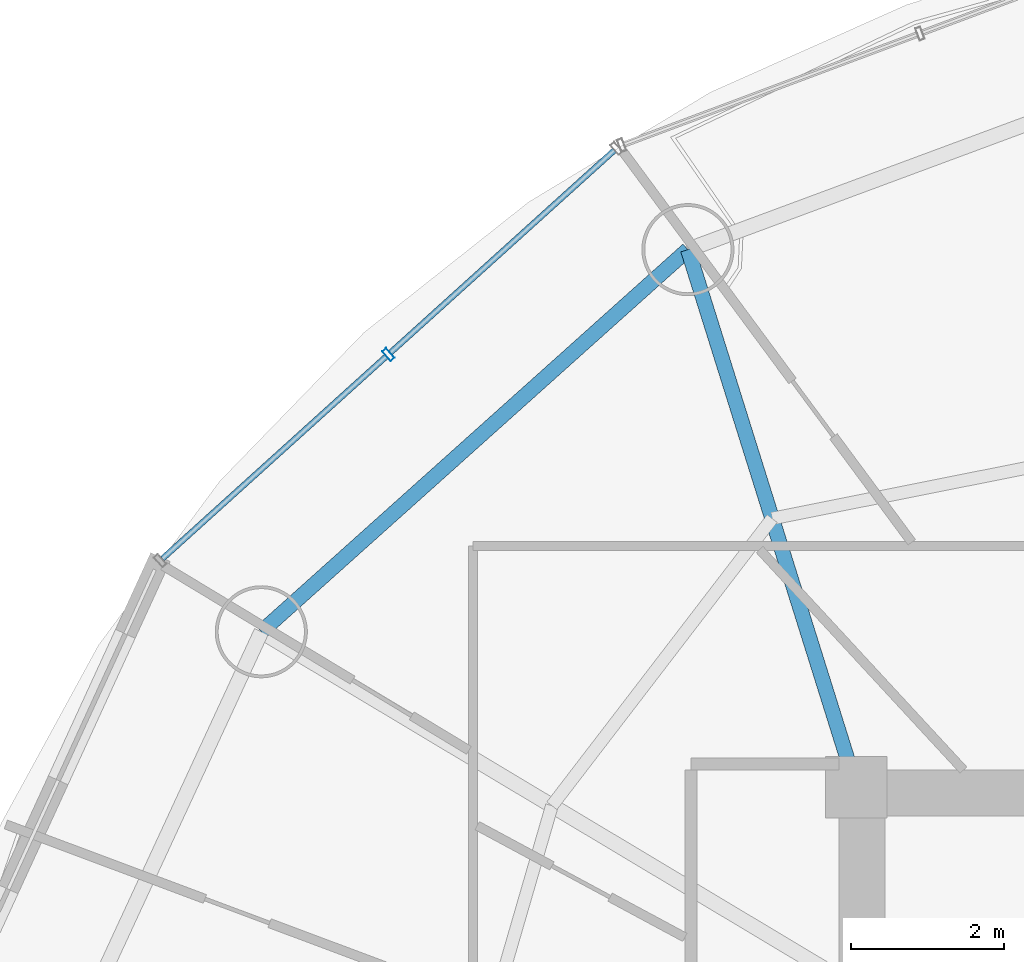
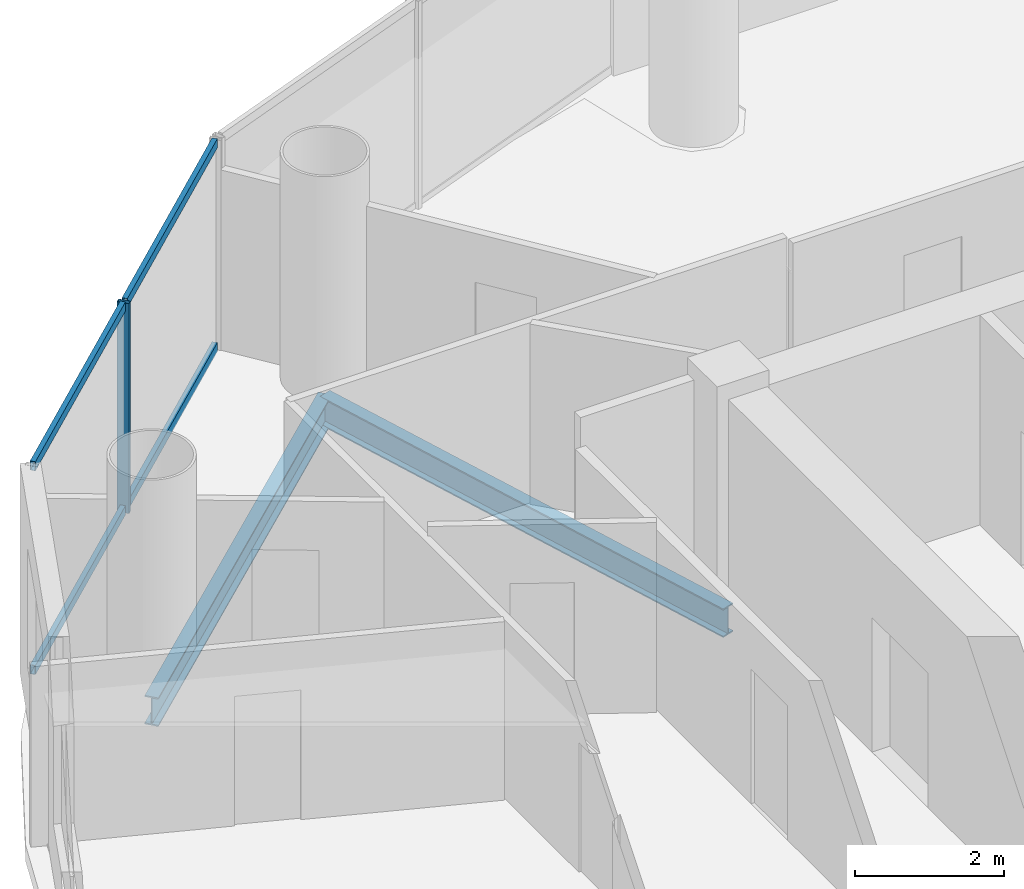
# One storey, part 14 of 26: 5 members, 2 beams, 1 element without a shape of its own.
"""IFC4 building model written with IfcOpenShell, lengths in metres."""

from ifc_helpers import new_model, si_unit, direction, frame, origin, origin_2d, place, context, subcontext, project, spatial, hollow_rectangle, i_section, extrude, source, transform, mapped, material, material_profile, profile_set, type_object, element, aggregate, save


model = new_model("IFC4")

# Units and contexts
model_context = context("Model", 3, precision=1e-05, world=origin(), true_north=direction((-0.2419218956, 0.970295726276)))
body_context = subcontext(model_context, "Body", "Model", "MODEL_VIEW")
ifc_project = project(units=[si_unit("LENGTHUNIT", "METRE"), si_unit("AREAUNIT", "SQUARE_METRE"), si_unit("VOLUMEUNIT", "CUBIC_METRE"), si_unit("PLANEANGLEUNIT", "RADIAN"), si_unit("MASSUNIT", "GRAM", prefix="KILO")], contexts=[model_context])

# Site, building, storey
site_placement = place(None, origin())
site = spatial("IfcSite", under=ifc_project, at=site_placement, CompositionType="ELEMENT")
building_placement = place(site_placement, origin())
building = spatial("IfcBuilding", under=site, at=building_placement, Name="Cobrevalo Terracotta Tower", CompositionType="ELEMENT")
storey_placement = place(building_placement, frame((0.0, 0.0, 217.10009765625)))
storey = spatial("IfcBuildingStorey", under=building, at=storey_placement, Name="L57", CompositionType="ELEMENT", Elevation=217.10009765625)

# Beams
ifc_material_1 = material(Name="Steel S355", Category="steel")
ifc_material_profile_1 = material_profile(ifc_material_1, i_section(OverallWidth=0.194091796875, OverallDepth=0.468994140625, WebThickness=0.011474609375, FlangeThickness=0.0205078125, at=origin_2d()), Name="W 460x106")
ifc_profile_set_1 = profile_set([ifc_material_profile_1], Name="Steel S355")
beam_type_1 = type_object("IfcBeamType", Name="Structural Beam W 460x106 (Steel S355)", PredefinedType="BEAM", material=ifc_profile_set_1)
beam_1_placement = place(storey_placement, frame((26.80517578125, 41.80810546875, -0.49951171875), z_axis=(0.298871212691, -0.954293454984, 0.0), x_axis=(0.954293454984, 0.298871212691, 0.0)))
element("IfcBeam", 1, at=beam_1_placement, inside=storey, type_object=beam_type_1, Name="L57 radial floor girder 06", PredefinedType="BEAM", context=body_context, shape_type="SweptSolid", body=[
    extrude(i_section(OverallWidth=0.194091796875, OverallDepth=0.468994140625, WebThickness=0.011474609375, FlangeThickness=0.0205078125, at=origin_2d()), origin(), (0.0, 0.0, 1.0), 7.34375),
])
ifc_material_profile_2 = material_profile(ifc_material_1, i_section(OverallWidth=0.194091796875, OverallDepth=0.468994140625, WebThickness=0.011474609375, FlangeThickness=0.0205078125, at=origin_2d()), Name="W 460x106")
ifc_profile_set_2 = profile_set([ifc_material_profile_2], Name="Steel S355")
beam_type_2 = type_object("IfcBeamType", Name="Structural Spandrel W 460x106 (Steel S355)", PredefinedType="SPANDREL", material=ifc_profile_set_2)
beam_2_placement = place(storey_placement, frame((26.80517578125, 41.80810546875, -0.49951171875), z_axis=(-0.744851930997, -0.667229796165, 0.0), x_axis=(0.667229796165, -0.744851930997, 0.0)))
element("IfcBeam", 2, at=beam_2_placement, inside=storey, type_object=beam_type_2, Name="L57 perimeter ring spandrel 06", PredefinedType="SPANDREL", context=body_context, shape_type="SweptSolid", body=[
    extrude(i_section(OverallWidth=0.194091796875, OverallDepth=0.468994140625, WebThickness=0.011474609375, FlangeThickness=0.0205078125, at=origin_2d()), origin(), (0.0, 0.0, 1.0), 7.463623046875),
])

# Curtain wall, members
ifc_material_2 = material(Name="Anodized aluminium", Category="aluminium")
curtain_wall_type = type_object("IfcCurtainWallType", Name="Mid-tower high-wind unitised curtain wall CW-U2", PredefinedType="NOTDEFINED", material=ifc_material_2)
curtain_wall_placement = place(storey_placement, origin())
curtain_wall = element("IfcCurtainWall", 3, at=curtain_wall_placement, inside=storey, type_object=curtain_wall_type, Name="L57 curtain wall CW-L57-S06", PredefinedType="NOTDEFINED")
ifc_material_profile_3 = material_profile(ifc_material_2, hollow_rectangle(XDim=0.074951171875, YDim=0.14990234375, WallThickness=0.00439453125, at=origin_2d()), Name="CWT 75x150")
ifc_profile_set_3 = profile_set([ifc_material_profile_3], Name="Anodized aluminium")
member_type_1 = type_object("IfcMemberType", Name="Tower unitised aluminium transom 75x150", PredefinedType="USERDEFINED", material=ifc_profile_set_3)
shared_shape_1 = source(origin(), body_context, "Body", "SweptSolid", [
    extrude(hollow_rectangle(XDim=0.074951171875, YDim=0.14990234375, WallThickness=0.00439453125, at=origin_2d()), origin(), (0.0, 0.0, 1.0), 3.927490234375),
])
member_1_placement = place(storey_placement, frame((22.872314453125, 40.414794921875, 0.0498046875), z_axis=(-0.741975952623, -0.670426495396, 0.0), x_axis=(0.670426495396, -0.741975952623, 0.0)))
member_1 = element("IfcMember", 4, at=member_1_placement, type_object=member_type_1, Name="CW-L57-S06 transom B02-T1", ObjectType="TRANSOM", PredefinedType="USERDEFINED", context=body_context, shape_type="MappedRepresentation", body=[
    mapped(shared_shape_1, transform((0.0, 0.0, 0.0), scale=1.0)),
])
member_2_placement = place(storey_placement, frame((22.872314453125, 40.414794921875, 3.385009765625), z_axis=(-0.741975952623, -0.670426495396, 0.0), x_axis=(0.670426495396, -0.741975952623, 0.0)))
member_2 = element("IfcMember", 5, at=member_2_placement, type_object=member_type_1, Name="CW-L57-S06 transom B02-T2", ObjectType="TRANSOM", PredefinedType="USERDEFINED", context=body_context, shape_type="MappedRepresentation", body=[
    mapped(shared_shape_1, transform((0.0, 0.0, 0.0), scale=1.0)),
])
shared_shape_2 = source(origin(), body_context, "Body", "SweptSolid", [
    extrude(hollow_rectangle(XDim=0.074951171875, YDim=0.14990234375, WallThickness=0.00439453125, at=origin_2d()), origin(), (0.0, 0.0, 1.0), 3.927734375),
])
member_3_placement = place(storey_placement, frame((25.845947265625, 43.101318359375, 0.0498046875), z_axis=(-0.742003891138, -0.670395573923, 0.0), x_axis=(0.670395573923, -0.742003891138, 0.0)))
member_3 = element("IfcMember", 6, at=member_3_placement, type_object=member_type_1, Name="CW-L57-S06 transom B01-T1", ObjectType="TRANSOM", PredefinedType="USERDEFINED", context=body_context, shape_type="MappedRepresentation", body=[
    mapped(shared_shape_2, transform((0.0, 0.0, 0.0), scale=1.0)),
])
member_4_placement = place(storey_placement, frame((25.845947265625, 43.101318359375, 3.385009765625), z_axis=(-0.742003891138, -0.670395573923, 0.0), x_axis=(0.670395573923, -0.742003891138, 0.0)))
member_4 = element("IfcMember", 7, at=member_4_placement, type_object=member_type_1, Name="CW-L57-S06 transom B01-T2", ObjectType="TRANSOM", PredefinedType="USERDEFINED", context=body_context, shape_type="MappedRepresentation", body=[
    mapped(shared_shape_2, transform((0.0, 0.0, 0.0), scale=1.0)),
])
ifc_material_profile_4 = material_profile(ifc_material_2, hollow_rectangle(XDim=0.070068359375, YDim=0.169921875, WallThickness=0.00439453125, at=origin_2d()), Name="CWM 70x170")
ifc_profile_set_4 = profile_set([ifc_material_profile_4], Name="Anodized aluminium")
member_type_2 = type_object("IfcMemberType", Name="Upper tower unitised mullion 70x170", PredefinedType="MULLION", material=ifc_profile_set_4)
shared_shape_3 = source(origin(), body_context, "Body", "SweptSolid", [
    extrude(hollow_rectangle(XDim=0.070068359375, YDim=0.169921875, WallThickness=0.00439453125, at=origin_2d()), origin(), (0.0, 0.0, 1.0), 3.434814453125),
])
member_5_placement = place(storey_placement, frame((22.902099609375, 40.441650390625, 0.0), z_axis=(0.0, 0.0, 1.0), x_axis=(-0.741987542015, -0.670413668935, 0.0)))
member_5 = element("IfcMember", 8, at=member_5_placement, type_object=member_type_2, Name="CW-L57-S06 vertical mullion 02", PredefinedType="MULLION", context=body_context, shape_type="MappedRepresentation", body=[
    mapped(shared_shape_3, transform((0.0, 0.0, 0.0), scale=1.0)),
])
aggregate(curtain_wall, [member_5, member_3, member_4, member_1, member_2])

save(model, "model.ifc")
